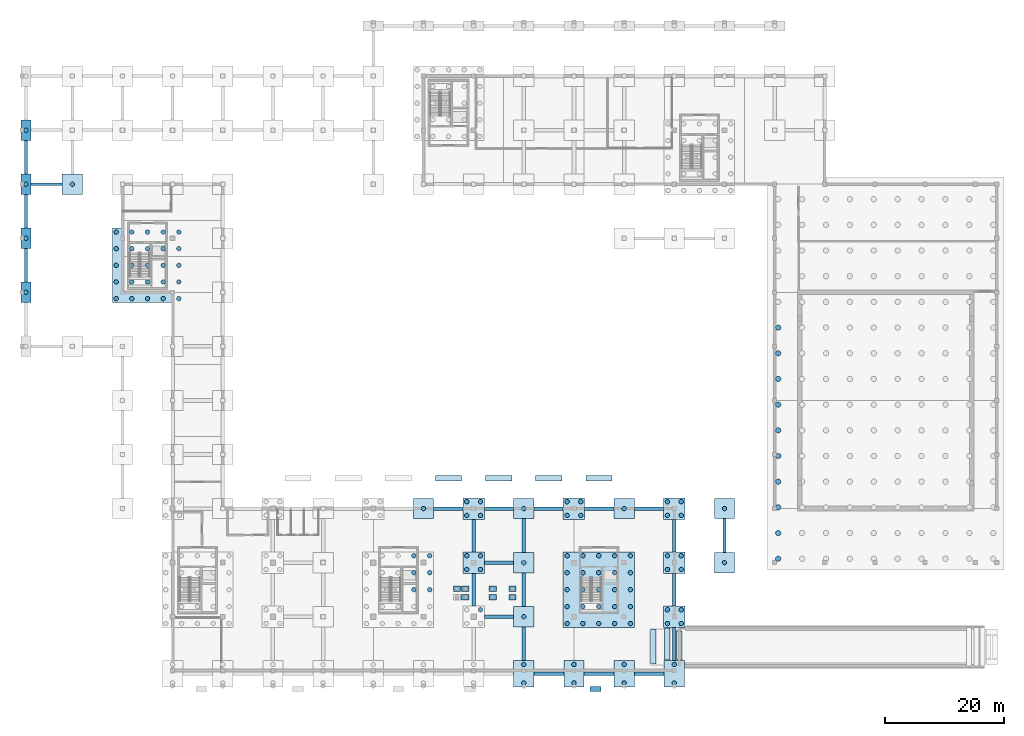
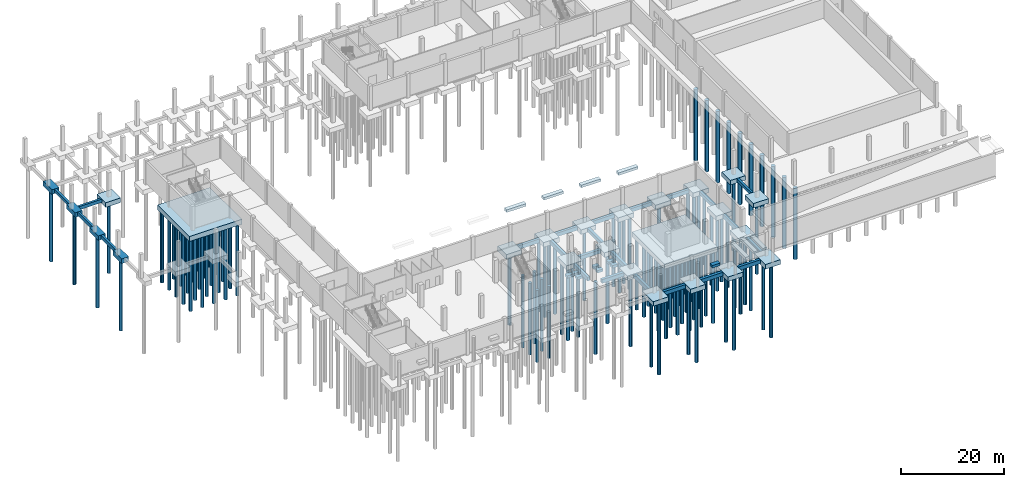
# One storey, part 2 of 18: 111 piles, 62 footings.
"""IFC4 building model written with IfcOpenShell, lengths in metres."""

import ifcopenshell
import ifcopenshell.guid

model = None  # the IFC model being written
_history = None  # IfcOwnerHistory: only IFC2X3 demands one
_inside = {}  # id of a spatial element -> (the spatial element, [elements in it])
_under = {}  # id of a project, library or spatial element -> (it, [spatial elements below it])
_declared = {}  # id of a project -> (the project, [libraries it declares])
_typed = {}  # id of a type object -> (the type object, [elements of that type])
_made_of = {}  # id of a material, layer set ... -> (it, [elements and type objects made of it])


def new_model(schema):
    """Start an empty IFC model of exactly this schema.

    Asked for "IFC4X3", IfcOpenShell would pick the latest addendum, in which some entities
    have other attributes; the version numbers below select the first issue.
    IFC2X3 requires an IfcOwnerHistory on every rooted entity: one is made here for all.
    """
    global model, _history
    if schema == "IFC4X3":
        model = ifcopenshell.file(schema_version=(4, 3, 0, 0))
    else:
        model = ifcopenshell.file(schema=schema)
    _inside.clear()
    _under.clear()
    _declared.clear()
    _typed.clear()
    _made_of.clear()
    _history = None
    if model.schema == "IFC2X3":
        org = make("IfcOrganization", Name="unknown")
        user = make(
            "IfcPersonAndOrganization",
            ThePerson=make("IfcPerson", FamilyName="unknown"),
            TheOrganization=org,
        )
        app = make(
            "IfcApplication",
            ApplicationDeveloper=org,
            Version="unknown",
            ApplicationFullName="unknown",
            ApplicationIdentifier="unknown",
        )
        _history = make(
            "IfcOwnerHistory",
            OwningUser=user,
            OwningApplication=app,
            ChangeAction="ADDED",
            CreationDate=0,
        )
    return model


def make(cls, **values):
    """One entity of the class cls with the attributes given. An attribute that is None is left unset."""
    return model.create_entity(
        cls, **{name: value for name, value in values.items() if value is not None}
    )


def rooted(cls, **values):
    """An entity with a GlobalId (a new one), such as an element, a storey or a relation."""
    return make(cls, GlobalId=ifcopenshell.guid.new(), OwnerHistory=_history, **values)


def si_unit(unit_type, name, prefix=None):
    """IfcSIUnit, for example si_unit("LENGTHUNIT", "METRE", prefix="MILLI")."""
    return make("IfcSIUnit", UnitType=unit_type, Prefix=prefix, Name=name)


def assignment(units):
    """IfcUnitAssignment: the units of a project."""
    return None if units is None else make("IfcUnitAssignment", Units=units)


def point(xyz):
    """IfcCartesianPoint."""
    return None if xyz is None else make("IfcCartesianPoint", Coordinates=xyz)


def direction(xyz):
    """IfcDirection."""
    return None if xyz is None else make("IfcDirection", DirectionRatios=xyz)


def frame(location, z_axis=None, x_axis=None):
    """IfcAxis2Placement3D, a coordinate frame: its origin and axes. An axis left out is left unset."""
    return make(
        "IfcAxis2Placement3D",
        Location=point(location),
        Axis=direction(z_axis),
        RefDirection=direction(x_axis),
    )


def frame_2d(location, x_axis=None):
    """IfcAxis2Placement2D, a coordinate frame in the plane: its origin and x axis."""
    return make(
        "IfcAxis2Placement2D", Location=point(location), RefDirection=direction(x_axis)
    )


def origin():
    """The frame at (0, 0, 0) with its axes left unset."""
    return frame((0.0, 0.0, 0.0))


def origin_2d():
    """The frame at (0, 0) in the plane with its x axis left unset."""
    return frame_2d((0.0, 0.0))


def place(relative_to, where):
    """IfcLocalPlacement: puts the frame where relative to a parent placement (None: the world)."""
    return make(
        "IfcLocalPlacement", PlacementRelTo=relative_to, RelativePlacement=where
    )


def context(
    kind, dimensions, precision=None, world=None, true_north=None, identifier=None
):
    """IfcGeometricRepresentationContext, for example the 3D "Model" context."""
    return make(
        "IfcGeometricRepresentationContext",
        ContextIdentifier=identifier,
        ContextType=kind,
        CoordinateSpaceDimension=dimensions,
        Precision=precision,
        WorldCoordinateSystem=world,
        TrueNorth=true_north,
    )


def subcontext(parent, identifier, kind, view, scale=None):
    """IfcGeometricRepresentationSubContext, for example "Body" below "Model"."""
    return make(
        "IfcGeometricRepresentationSubContext",
        ContextIdentifier=identifier,
        ContextType=kind,
        ParentContext=parent,
        TargetScale=scale,
        TargetView=view,
    )


def project(units=None, contexts=None):
    """IfcProject with its units and contexts."""
    return rooted(
        "IfcProject",
        Name="project",
        RepresentationContexts=contexts,
        UnitsInContext=assignment(units),
    )


def spatial(cls, under=None, at=None, **own):
    """A site, building, storey or space (cls), placed at a placement, below another one or the project."""
    s = rooted(cls, ObjectPlacement=at, **own)
    if under is not None:
        _under.setdefault(under.id(), (under, []))[1].append(s)
    return s


def profile(cls, at=None, kind="AREA", **sizes):
    """A parametric profile (cls). Its sizes go by their IFC names, for example OverallWidth=200.0."""
    return make(cls, ProfileType=kind, Position=at, **sizes)


def rectangle(**sizes):
    """IfcRectangleProfileDef."""
    return profile("IfcRectangleProfileDef", **sizes)


def circle(**sizes):
    """IfcCircleProfileDef."""
    return profile("IfcCircleProfileDef", **sizes)


def extrude(swept, where, along, depth):
    """IfcExtrudedAreaSolid: the profile swept, set in the frame where, extruded along a direction by depth."""
    return make(
        "IfcExtrudedAreaSolid",
        SweptArea=swept,
        Position=where,
        ExtrudedDirection=direction(along),
        Depth=depth,
    )


def shape(context_of_items, identifier, shape_type, items):
    """IfcShapeRepresentation: the items that make up one representation, for example the "Body"."""
    return make(
        "IfcShapeRepresentation",
        ContextOfItems=context_of_items,
        RepresentationIdentifier=identifier,
        RepresentationType=shape_type,
        Items=items,
    )


def material(Name=None, Category=None):
    """IfcMaterial."""
    return make("IfcMaterial", Name=Name, Category=Category)


def layer(
    of_material, thickness, ventilated=None, Name=None, Category=None, Priority=None
):
    """IfcMaterialLayer: one layer of a wall or slab, of a material (None: an air gap)."""
    return make(
        "IfcMaterialLayer",
        Material=of_material,
        LayerThickness=thickness,
        IsVentilated=ventilated,
        Name=Name,
        Category=Category,
        Priority=Priority,
    )


def layer_set(layers, Name=None):
    """IfcMaterialLayerSet."""
    return make("IfcMaterialLayerSet", MaterialLayers=layers, LayerSetName=Name)


def material_profile(
    of_material, cross_section, Name=None, Category=None, Priority=None
):
    """IfcMaterialProfile: a cross section and its material."""
    return make(
        "IfcMaterialProfile",
        Name=Name,
        Material=of_material,
        Profile=cross_section,
        Priority=Priority,
        Category=Category,
    )


def profile_set(profiles, Name=None, composite=None):
    """IfcMaterialProfileSet."""
    return make(
        "IfcMaterialProfileSet",
        Name=Name,
        MaterialProfiles=profiles,
        CompositeProfile=composite,
    )


def made_of(thing, what):
    """Note that an element or type object is made of a material, layer set ...; save() writes the relation."""
    if what is not None:
        _made_of.setdefault(what.id(), (what, []))[1].append(thing)
    return thing


def type_object(cls, material=None, **own):
    """A type object (cls), such as IfcWallType, which elements share."""
    return made_of(rooted(cls, **own), material)


def element(
    cls,
    number,
    at=None,
    inside=None,
    cuts=None,
    type_object=None,
    material=None,
    context=None,
    identifier="Body",
    shape_type=None,
    held_by="IfcProductDefinitionShape",
    body=None,
    shapes=None,
    **own,
):
    """One element of the class cls, such as IfcWall. Its Tag is "e" and its number.

    at: its placement. inside: the storey or other place that contains it. cuts: it is an
    opening in that element (IfcRelVoidsElement). A single representation is given by context,
    identifier, shape_type and body (its items); several are given by shapes. held_by: the class
    of the entity that holds the representations. save() writes the other relations.
    """
    e = rooted(cls, Tag="e%d" % number, ObjectPlacement=at, **own)
    if body is not None:
        shapes = [shape(context, identifier, shape_type, body)]
    if shapes is not None:
        e.Representation = make(held_by, Representations=shapes)
    if inside is not None:
        _inside.setdefault(inside.id(), (inside, []))[1].append(e)
    if cuts is not None:
        rooted(
            "IfcRelVoidsElement", RelatingBuildingElement=cuts, RelatedOpeningElement=e
        )
    if type_object is not None:
        _typed.setdefault(type_object.id(), (type_object, []))[1].append(e)
    return made_of(e, material)


def aggregate(whole, parts):
    """IfcRelAggregates: a whole, such as a stair, and the parts it consists of."""
    return rooted("IfcRelAggregates", RelatingObject=whole, RelatedObjects=parts)


def save(model, path):
    """Write the relations noted so far, then the file.

    IfcRelAggregates (storeys below a building ...), IfcRelContainedInSpatialStructure (elements
    in a storey), IfcRelDefinesByType, IfcRelAssociatesMaterial and IfcRelDeclares: one each for
    every whole, place, type object, material and project.
    """
    for whole, parts in _under.values():
        aggregate(whole, parts)
    for where, things in _inside.values():
        rooted(
            "IfcRelContainedInSpatialStructure",
            RelatedElements=things,
            RelatingStructure=where,
        )
    for kind, things in _typed.values():
        rooted("IfcRelDefinesByType", RelatedObjects=things, RelatingType=kind)
    for what, things in _made_of.values():
        rooted("IfcRelAssociatesMaterial", RelatedObjects=things, RelatingMaterial=what)
    for by, libraries in _declared.values():
        rooted("IfcRelDeclares", RelatingContext=by, RelatedDefinitions=libraries)
    model.write(path)


model = new_model("IFC4")

# Units and contexts
model_context = context("Model", 3, precision=1e-05, world=origin(), true_north=direction((0.0, 1.0)))
body_context = subcontext(model_context, "Body", "Model", "MODEL_VIEW")
ifc_project = project(units=[si_unit("LENGTHUNIT", "METRE"), si_unit("AREAUNIT", "SQUARE_METRE"), si_unit("VOLUMEUNIT", "CUBIC_METRE"), si_unit("PLANEANGLEUNIT", "RADIAN"), si_unit("MASSUNIT", "GRAM", prefix="KILO")], contexts=[model_context])

# Site, building, storey
site_placement = place(None, origin())
site = spatial("IfcSite", under=ifc_project, at=site_placement, CompositionType="ELEMENT")
building_placement = place(site_placement, origin())
building = spatial("IfcBuilding", under=site, at=building_placement, Name="Khurvash Pelagic Aquarium", CompositionType="ELEMENT")
storey_placement = place(building_placement, frame((0.0, 0.0, -5.39990234375)))
storey = spatial("IfcBuildingStorey", under=building, at=storey_placement, Name="B1", CompositionType="ELEMENT", Elevation=-5.39990234375)

# Footings
ifc_material = material(Name="Concrete C35/45", Category="concrete")
ifc_layer_1 = layer(ifc_material, 0.800048828125)
ifc_layer_set_1 = layer_set([ifc_layer_1], Name="Concrete C35/45")
footing_type_1 = type_object("IfcFootingType", Name="GB-01", PredefinedType="FOOTING_BEAM", material=ifc_layer_set_1)
footing_1_placement = place(storey_placement, frame((4.074951171875, 84.050048828125, -1.2001953125), z_axis=(0.0, 0.0, 1.0), x_axis=(1.0, 0.0, 0.0)))
element("IfcFooting", 1, at=footing_1_placement, inside=storey, type_object=footing_type_1, Name="Reinforced Concrete Ground Tie Beam GB-01 079", PredefinedType="FOOTING_BEAM", context=body_context, shape_type="SweptSolid", body=[
    extrude(rectangle(XDim=5.24609375, YDim=0.5, at=origin_2d()), origin(), (0.0, 0.0, 1.0), 0.800048828125),
])
for number, where, z_axis, x_axis, name in (
    (2, (0.64990234375, 70.47509765625, -1.2001953125), (0.0, 0.0, 1.0), (0.0, 1.0, 0.0), "Reinforced Concrete Ground Tie Beam GB-01 103"),
    (3, (0.64990234375, 79.52490234375, -1.2001953125), (0.0, 0.0, 1.0), (0.0, 1.0, 0.0), "Reinforced Concrete Ground Tie Beam GB-01 104"),
    (4, (0.64990234375, 88.574951171875, -1.2001953125), (0.0, 0.0, 1.0), (0.0, 1.0, 0.0), "Reinforced Concrete Ground Tie Beam GB-01 105"),
    (5, (117.60009765625, 25.22509765625, -1.2001953125), (0.0, 0.0, 1.0), (0.0, 1.0, 0.0), "Reinforced Concrete Ground Tie Beam GB-01 120"),
):
    element("IfcFooting", number, at=place(storey_placement, frame(where, z_axis=z_axis, x_axis=x_axis)), inside=storey, type_object=footing_type_1, Name=name, PredefinedType="FOOTING_BEAM", context=body_context, shape_type="SweptSolid", body=[
        extrude(rectangle(XDim=5.64599609375, YDim=0.5, at=origin_2d()), origin(), (0.0, 0.0, 1.0), 0.800048828125),
    ])
ifc_layer_2 = layer(ifc_material, 0.89990234375)
ifc_layer_set_2 = layer_set([ifc_layer_2], Name="Concrete C35/45")
footing_type_2 = type_object("IfcFootingType", Name="GB-02", PredefinedType="FOOTING_BEAM", material=ifc_layer_set_2)
for number, where, z_axis, x_axis, name in (
    (6, (88.199951171875, 2.10009765625, -1.300048828125), (0.0, 0.0, 1.0), (1.0, 0.0, 0.0), "Reinforced Concrete Ground Tie Beam GB-02 008"),
    (7, (96.60009765625, 2.10009765625, -1.300048828125), (0.0, 0.0, 1.0), (1.0, 0.0, 0.0), "Reinforced Concrete Ground Tie Beam GB-02 009"),
    (8, (105.0, 2.10009765625, -1.300048828125), (0.0, 0.0, 1.0), (1.0, 0.0, 0.0), "Reinforced Concrete Ground Tie Beam GB-02 010"),
):
    element("IfcFooting", number, at=place(storey_placement, frame(where, z_axis=z_axis, x_axis=x_axis)), inside=storey, type_object=footing_type_2, Name=name, PredefinedType="FOOTING_BEAM", context=body_context, shape_type="SweptSolid", body=[
        extrude(rectangle(XDim=4.99609375, YDim=0.60009765625, at=origin_2d()), origin(), (0.0, 0.0, 1.0), 0.89990234375),
    ])
for number, where, z_axis, x_axis, name in (
    (9, (79.85009765625, 11.64990234375, -1.300048828125), (0.0, 0.0, 1.0), (1.0, 0.0, 0.0), "Reinforced Concrete Ground Tie Beam GB-02 012"),
    (10, (79.85009765625, 20.699951171875, -1.300048828125), (0.0, 0.0, 1.0), (1.0, 0.0, 0.0), "Reinforced Concrete Ground Tie Beam GB-02 014"),
    (11, (71.35009765625, 29.75, -1.300048828125), (0.0, 0.0, 1.0), (1.0, 0.0, 0.0), "Reinforced Concrete Ground Tie Beam GB-02 020"),
    (12, (79.85009765625, 29.75, -1.300048828125), (0.0, 0.0, 1.0), (1.0, 0.0, 0.0), "Reinforced Concrete Ground Tie Beam GB-02 021"),
    (13, (88.14990234375, 29.75, -1.300048828125), (0.0, 0.0, 1.0), (1.0, 0.0, 0.0), "Reinforced Concrete Ground Tie Beam GB-02 022"),
    (14, (96.64990234375, 29.75, -1.300048828125), (0.0, 0.0, 1.0), (1.0, 0.0, 0.0), "Reinforced Concrete Ground Tie Beam GB-02 023"),
    (15, (104.949951171875, 29.75, -1.300048828125), (0.0, 0.0, 1.0), (1.0, 0.0, 0.0), "Reinforced Concrete Ground Tie Beam GB-02 024"),
):
    element("IfcFooting", number, at=place(storey_placement, frame(where, z_axis=z_axis, x_axis=x_axis)), inside=storey, type_object=footing_type_2, Name=name, PredefinedType="FOOTING_BEAM", context=body_context, shape_type="SweptSolid", body=[
        extrude(rectangle(XDim=4.89599609375, YDim=0.60009765625, at=origin_2d()), origin(), (0.0, 0.0, 1.0), 0.89990234375),
    ])
for number, where, z_axis, x_axis, name in (
    (16, (75.60009765625, 16.175048828125, -1.300048828125), (0.0, 0.0, 1.0), (0.0, 1.0, 0.0), "Reinforced Concrete Ground Tie Beam GB-02 059"),
    (17, (75.60009765625, 25.22509765625, -1.300048828125), (0.0, 0.0, 1.0), (0.0, 1.0, 0.0), "Reinforced Concrete Ground Tie Beam GB-02 060"),
):
    element("IfcFooting", number, at=place(storey_placement, frame(where, z_axis=z_axis, x_axis=x_axis)), inside=storey, type_object=footing_type_2, Name=name, PredefinedType="FOOTING_BEAM", context=body_context, shape_type="SweptSolid", body=[
        extrude(rectangle(XDim=5.446044921875, YDim=0.60009765625, at=origin_2d()), origin(), (0.0, 0.0, 1.0), 0.89990234375),
    ])
for number, where, z_axis, x_axis, name in (
    (18, (84.0, 7.125, -1.300048828125), (0.0, 0.0, 1.0), (0.0, 1.0, 0.0), "Reinforced Concrete Ground Tie Beam GB-02 061"),
    (19, (84.0, 16.175048828125, -1.300048828125), (0.0, 0.0, 1.0), (0.0, 1.0, 0.0), "Reinforced Concrete Ground Tie Beam GB-02 062"),
    (20, (84.0, 25.22509765625, -1.300048828125), (0.0, 0.0, 1.0), (0.0, 1.0, 0.0), "Reinforced Concrete Ground Tie Beam GB-02 063"),
):
    element("IfcFooting", number, at=place(storey_placement, frame(where, z_axis=z_axis, x_axis=x_axis)), inside=storey, type_object=footing_type_2, Name=name, PredefinedType="FOOTING_BEAM", context=body_context, shape_type="SweptSolid", body=[
        extrude(rectangle(XDim=5.64599609375, YDim=0.60009765625, at=origin_2d()), origin(), (0.0, 0.0, 1.0), 0.89990234375),
    ])
footing_2_placement = place(storey_placement, frame((109.199951171875, 7.074951171875, -1.300048828125), z_axis=(0.0, 0.0, 1.0), x_axis=(0.0, 1.0, 0.0)))
element("IfcFooting", 21, at=footing_2_placement, inside=storey, type_object=footing_type_2, Name="Reinforced Concrete Ground Tie Beam GB-02 070", PredefinedType="FOOTING_BEAM", context=body_context, shape_type="SweptSolid", body=[
    extrude(rectangle(XDim=5.5458984375, YDim=0.60009765625, at=origin_2d()), origin(), (0.0, 0.0, 1.0), 0.89990234375),
])
for number, where, z_axis, x_axis, name in (
    (22, (109.199951171875, 16.175048828125, -1.300048828125), (0.0, 0.0, 1.0), (0.0, 1.0, 0.0), "Reinforced Concrete Ground Tie Beam GB-02 071"),
    (23, (109.199951171875, 25.22509765625, -1.300048828125), (0.0, 0.0, 1.0), (0.0, 1.0, 0.0), "Reinforced Concrete Ground Tie Beam GB-02 072"),
):
    element("IfcFooting", number, at=place(storey_placement, frame(where, z_axis=z_axis, x_axis=x_axis)), inside=storey, type_object=footing_type_2, Name=name, PredefinedType="FOOTING_BEAM", context=body_context, shape_type="SweptSolid", body=[
        extrude(rectangle(XDim=5.446044921875, YDim=0.60009765625, at=origin_2d()), origin(), (0.0, 0.0, 1.0), 0.89990234375),
    ])

# Piles
ifc_material_profile_1 = material_profile(ifc_material, circle(Radius=0.375, at=origin_2d()), Name="PILE750")
ifc_profile_set_1 = profile_set([ifc_material_profile_1], Name="Concrete C35/45")
pile_type_1 = type_object("IfcPileType", Name="P-750", PredefinedType="BORED", material=ifc_profile_set_1)
for number, where, z_axis, x_axis, name in (
    (24, (65.60009765625, 16.175048828125, -1.5), (0.0, 0.0, -1.0), (1.0, 0.0, 0.0), "Bored Pile P-750 0193"),
    (25, (65.60009765625, 19.011962890625, -1.5), (0.0, 0.0, -1.0), (1.0, 0.0, 0.0), "Bored Pile P-750 0194"),
    (26, (65.60009765625, 21.85009765625, -1.5), (0.0, 0.0, -1.0), (1.0, 0.0, 0.0), "Bored Pile P-750 0195"),
    (27, (68.25, 16.175048828125, -1.5), (0.0, 0.0, -1.0), (1.0, 0.0, 0.0), "Bored Pile P-750 0198"),
    (28, (68.25, 19.011962890625, -1.5), (0.0, 0.0, -1.0), (1.0, 0.0, 0.0), "Bored Pile P-750 0199"),
    (29, (68.25, 21.85009765625, -1.5), (0.0, 0.0, -1.0), (1.0, 0.0, 0.0), "Bored Pile P-750 0200"),
    (30, (91.25, 10.5, -1.5), (0.0, 0.0, -1.0), (1.0, 0.0, 0.0), "Bored Pile P-750 0201"),
    (31, (91.25, 13.337890625, -1.5), (0.0, 0.0, -1.0), (1.0, 0.0, 0.0), "Bored Pile P-750 0202"),
    (32, (91.25, 16.175048828125, -1.5), (0.0, 0.0, -1.0), (1.0, 0.0, 0.0), "Bored Pile P-750 0203"),
    (33, (91.25, 19.011962890625, -1.5), (0.0, 0.0, -1.0), (1.0, 0.0, 0.0), "Bored Pile P-750 0204"),
    (34, (91.25, 21.85009765625, -1.5), (0.0, 0.0, -1.0), (1.0, 0.0, 0.0), "Bored Pile P-750 0205"),
    (35, (93.89990234375, 10.5, -1.5), (0.0, 0.0, -1.0), (1.0, 0.0, 0.0), "Bored Pile P-750 0206"),
    (36, (93.89990234375, 13.337890625, -1.5), (0.0, 0.0, -1.0), (1.0, 0.0, 0.0), "Bored Pile P-750 0207"),
    (37, (93.89990234375, 16.175048828125, -1.5), (0.0, 0.0, -1.0), (1.0, 0.0, 0.0), "Bored Pile P-750 0208"),
    (38, (93.89990234375, 19.011962890625, -1.5), (0.0, 0.0, -1.0), (1.0, 0.0, 0.0), "Bored Pile P-750 0209"),
    (39, (93.89990234375, 21.85009765625, -1.5), (0.0, 0.0, -1.0), (1.0, 0.0, 0.0), "Bored Pile P-750 0210"),
    (40, (96.550048828125, 10.5, -1.5), (0.0, 0.0, -1.0), (1.0, 0.0, 0.0), "Bored Pile P-750 0211"),
    (41, (96.550048828125, 13.337890625, -1.5), (0.0, 0.0, -1.0), (1.0, 0.0, 0.0), "Bored Pile P-750 0212"),
    (42, (96.550048828125, 16.175048828125, -1.5), (0.0, 0.0, -1.0), (1.0, 0.0, 0.0), "Bored Pile P-750 0213"),
    (43, (96.550048828125, 19.011962890625, -1.5), (0.0, 0.0, -1.0), (1.0, 0.0, 0.0), "Bored Pile P-750 0214"),
    (44, (96.550048828125, 21.85009765625, -1.5), (0.0, 0.0, -1.0), (1.0, 0.0, 0.0), "Bored Pile P-750 0215"),
    (45, (99.199951171875, 10.5, -1.5), (0.0, 0.0, -1.0), (1.0, 0.0, 0.0), "Bored Pile P-750 0216"),
    (46, (99.199951171875, 13.337890625, -1.5), (0.0, 0.0, -1.0), (1.0, 0.0, 0.0), "Bored Pile P-750 0217"),
    (47, (99.199951171875, 16.175048828125, -1.5), (0.0, 0.0, -1.0), (1.0, 0.0, 0.0), "Bored Pile P-750 0218"),
    (48, (99.199951171875, 19.011962890625, -1.5), (0.0, 0.0, -1.0), (1.0, 0.0, 0.0), "Bored Pile P-750 0219"),
    (49, (99.199951171875, 21.85009765625, -1.5), (0.0, 0.0, -1.0), (1.0, 0.0, 0.0), "Bored Pile P-750 0220"),
    (50, (101.85009765625, 10.5, -1.5), (0.0, 0.0, -1.0), (1.0, 0.0, 0.0), "Bored Pile P-750 0221"),
    (51, (101.85009765625, 13.337890625, -1.5), (0.0, 0.0, -1.0), (1.0, 0.0, 0.0), "Bored Pile P-750 0222"),
    (52, (101.85009765625, 16.175048828125, -1.5), (0.0, 0.0, -1.0), (1.0, 0.0, 0.0), "Bored Pile P-750 0223"),
    (53, (101.85009765625, 19.011962890625, -1.5), (0.0, 0.0, -1.0), (1.0, 0.0, 0.0), "Bored Pile P-750 0224"),
    (54, (101.85009765625, 21.85009765625, -1.5), (0.0, 0.0, -1.0), (1.0, 0.0, 0.0), "Bored Pile P-750 0225"),
    (55, (15.75, 64.89990234375, -1.5), (0.0, 0.0, -1.0), (1.0, 0.0, 0.0), "Bored Pile P-750 0251"),
    (56, (15.75, 67.68701171875, -1.5), (0.0, 0.0, -1.0), (1.0, 0.0, 0.0), "Bored Pile P-750 0252"),
    (57, (15.75, 70.47509765625, -1.5), (0.0, 0.0, -1.0), (1.0, 0.0, 0.0), "Bored Pile P-750 0253"),
    (58, (15.75, 73.261962890625, -1.5), (0.0, 0.0, -1.0), (1.0, 0.0, 0.0), "Bored Pile P-750 0254"),
    (59, (15.75, 76.050048828125, -1.5), (0.0, 0.0, -1.0), (1.0, 0.0, 0.0), "Bored Pile P-750 0255"),
    (60, (18.375, 64.89990234375, -1.5), (0.0, 0.0, -1.0), (1.0, 0.0, 0.0), "Bored Pile P-750 0256"),
    (61, (18.375, 67.68701171875, -1.5), (0.0, 0.0, -1.0), (1.0, 0.0, 0.0), "Bored Pile P-750 0257"),
    (62, (18.375, 70.47509765625, -1.5), (0.0, 0.0, -1.0), (1.0, 0.0, 0.0), "Bored Pile P-750 0258"),
    (63, (18.375, 73.261962890625, -1.5), (0.0, 0.0, -1.0), (1.0, 0.0, 0.0), "Bored Pile P-750 0259"),
    (64, (18.375, 76.050048828125, -1.5), (0.0, 0.0, -1.0), (1.0, 0.0, 0.0), "Bored Pile P-750 0260"),
    (65, (21.0, 64.89990234375, -1.5), (0.0, 0.0, -1.0), (1.0, 0.0, 0.0), "Bored Pile P-750 0261"),
    (66, (21.0, 67.68701171875, -1.5), (0.0, 0.0, -1.0), (1.0, 0.0, 0.0), "Bored Pile P-750 0262"),
    (67, (21.0, 70.47509765625, -1.5), (0.0, 0.0, -1.0), (1.0, 0.0, 0.0), "Bored Pile P-750 0263"),
    (68, (21.0, 73.261962890625, -1.5), (0.0, 0.0, -1.0), (1.0, 0.0, 0.0), "Bored Pile P-750 0264"),
    (69, (21.0, 76.050048828125, -1.5), (0.0, 0.0, -1.0), (1.0, 0.0, 0.0), "Bored Pile P-750 0265"),
    (70, (23.625, 64.89990234375, -1.5), (0.0, 0.0, -1.0), (1.0, 0.0, 0.0), "Bored Pile P-750 0266"),
    (71, (23.625, 67.68701171875, -1.5), (0.0, 0.0, -1.0), (1.0, 0.0, 0.0), "Bored Pile P-750 0267"),
    (72, (23.625, 70.47509765625, -1.5), (0.0, 0.0, -1.0), (1.0, 0.0, 0.0), "Bored Pile P-750 0268"),
    (73, (23.625, 73.261962890625, -1.5), (0.0, 0.0, -1.0), (1.0, 0.0, 0.0), "Bored Pile P-750 0269"),
    (74, (23.625, 76.050048828125, -1.5), (0.0, 0.0, -1.0), (1.0, 0.0, 0.0), "Bored Pile P-750 0270"),
    (75, (26.25, 64.89990234375, -1.5), (0.0, 0.0, -1.0), (1.0, 0.0, 0.0), "Bored Pile P-750 0271"),
    (76, (26.25, 67.68701171875, -1.5), (0.0, 0.0, -1.0), (1.0, 0.0, 0.0), "Bored Pile P-750 0272"),
    (77, (26.25, 70.47509765625, -1.5), (0.0, 0.0, -1.0), (1.0, 0.0, 0.0), "Bored Pile P-750 0273"),
    (78, (26.25, 73.261962890625, -1.5), (0.0, 0.0, -1.0), (1.0, 0.0, 0.0), "Bored Pile P-750 0274"),
    (79, (26.25, 76.050048828125, -1.5), (0.0, 0.0, -1.0), (1.0, 0.0, 0.0), "Bored Pile P-750 0275"),
):
    element("IfcPile", number, at=place(storey_placement, frame(where, z_axis=z_axis, x_axis=x_axis)), inside=storey, type_object=pile_type_1, Name=name, PredefinedType="BORED", context=body_context, shape_type="SweptSolid", body=[
        extrude(circle(Radius=0.375, at=origin_2d()), origin(), (0.0, 0.0, 1.0), 17.10009765625),
    ])
for number, where, z_axis, x_axis, name in (
    (80, (67.199951171875, 29.75, -1.400146484375), (0.0, 0.0, -1.0), (1.0, 0.0, 0.0), "Bored Pile P-750 0348"),
    (81, (76.75, 12.800048828125, -1.400146484375), (0.0, 0.0, -1.0), (1.0, 0.0, 0.0), "Bored Pile P-750 0355"),
    (82, (74.449951171875, 19.550048828125, -1.400146484375), (0.0, 0.0, -1.0), (1.0, 0.0, 0.0), "Bored Pile P-750 0356"),
    (83, (74.449951171875, 21.85009765625, -1.400146484375), (0.0, 0.0, -1.0), (1.0, 0.0, 0.0), "Bored Pile P-750 0357"),
    (84, (76.75, 19.550048828125, -1.400146484375), (0.0, 0.0, -1.0), (1.0, 0.0, 0.0), "Bored Pile P-750 0358"),
    (85, (76.75, 21.85009765625, -1.400146484375), (0.0, 0.0, -1.0), (1.0, 0.0, 0.0), "Bored Pile P-750 0359"),
    (86, (74.449951171875, 28.60009765625, -1.400146484375), (0.0, 0.0, -1.0), (1.0, 0.0, 0.0), "Bored Pile P-750 0360"),
    (87, (74.449951171875, 30.89990234375, -1.400146484375), (0.0, 0.0, -1.0), (1.0, 0.0, 0.0), "Bored Pile P-750 0361"),
    (88, (76.75, 28.60009765625, -1.400146484375), (0.0, 0.0, -1.0), (1.0, 0.0, 0.0), "Bored Pile P-750 0362"),
    (89, (76.75, 30.89990234375, -1.400146484375), (0.0, 0.0, -1.0), (1.0, 0.0, 0.0), "Bored Pile P-750 0363"),
    (90, (84.0, 0.550048828125, -1.400146484375), (0.0, 0.0, -1.0), (1.0, 0.0, 0.0), "Bored Pile P-750 0365"),
    (91, (84.0, 3.64990234375, -1.400146484375), (0.0, 0.0, -1.0), (1.0, 0.0, 0.0), "Bored Pile P-750 0366"),
    (92, (84.0, 11.64990234375, -1.400146484375), (0.0, 0.0, -1.0), (1.0, 0.0, 0.0), "Bored Pile P-750 0367"),
    (93, (84.0, 20.699951171875, -1.400146484375), (0.0, 0.0, -1.0), (1.0, 0.0, 0.0), "Bored Pile P-750 0368"),
    (94, (84.0, 29.75, -1.400146484375), (0.0, 0.0, -1.0), (1.0, 0.0, 0.0), "Bored Pile P-750 0369"),
    (95, (92.39990234375, 0.550048828125, -1.400146484375), (0.0, 0.0, -1.0), (1.0, 0.0, 0.0), "Bored Pile P-750 0373"),
    (96, (92.39990234375, 3.64990234375, -1.400146484375), (0.0, 0.0, -1.0), (1.0, 0.0, 0.0), "Bored Pile P-750 0374"),
    (97, (91.25, 28.60009765625, -1.400146484375), (0.0, 0.0, -1.0), (1.0, 0.0, 0.0), "Bored Pile P-750 0375"),
    (98, (91.25, 30.89990234375, -1.400146484375), (0.0, 0.0, -1.0), (1.0, 0.0, 0.0), "Bored Pile P-750 0376"),
    (99, (93.550048828125, 28.60009765625, -1.400146484375), (0.0, 0.0, -1.0), (1.0, 0.0, 0.0), "Bored Pile P-750 0377"),
    (100, (93.550048828125, 30.89990234375, -1.400146484375), (0.0, 0.0, -1.0), (1.0, 0.0, 0.0), "Bored Pile P-750 0378"),
    (101, (100.800048828125, 0.550048828125, -1.400146484375), (0.0, 0.0, -1.0), (1.0, 0.0, 0.0), "Bored Pile P-750 0382"),
    (102, (100.800048828125, 3.64990234375, -1.400146484375), (0.0, 0.0, -1.0), (1.0, 0.0, 0.0), "Bored Pile P-750 0383"),
    (103, (100.800048828125, 29.75, -1.400146484375), (0.0, 0.0, -1.0), (1.0, 0.0, 0.0), "Bored Pile P-750 0384"),
    (104, (109.199951171875, 0.550048828125, -1.400146484375), (0.0, 0.0, -1.0), (1.0, 0.0, 0.0), "Bored Pile P-750 0388"),
    (105, (109.199951171875, 3.64990234375, -1.400146484375), (0.0, 0.0, -1.0), (1.0, 0.0, 0.0), "Bored Pile P-750 0389"),
    (106, (108.050048828125, 10.5, -1.400146484375), (0.0, 0.0, -1.0), (1.0, 0.0, 0.0), "Bored Pile P-750 0390"),
    (107, (108.050048828125, 12.800048828125, -1.400146484375), (0.0, 0.0, -1.0), (1.0, 0.0, 0.0), "Bored Pile P-750 0391"),
    (108, (110.35009765625, 10.5, -1.400146484375), (0.0, 0.0, -1.0), (1.0, 0.0, 0.0), "Bored Pile P-750 0392"),
    (109, (110.35009765625, 12.800048828125, -1.400146484375), (0.0, 0.0, -1.0), (1.0, 0.0, 0.0), "Bored Pile P-750 0393"),
    (110, (108.050048828125, 19.550048828125, -1.400146484375), (0.0, 0.0, -1.0), (1.0, 0.0, 0.0), "Bored Pile P-750 0394"),
    (111, (108.050048828125, 21.85009765625, -1.400146484375), (0.0, 0.0, -1.0), (1.0, 0.0, 0.0), "Bored Pile P-750 0395"),
    (112, (110.35009765625, 19.550048828125, -1.400146484375), (0.0, 0.0, -1.0), (1.0, 0.0, 0.0), "Bored Pile P-750 0396"),
    (113, (110.35009765625, 21.85009765625, -1.400146484375), (0.0, 0.0, -1.0), (1.0, 0.0, 0.0), "Bored Pile P-750 0397"),
    (114, (108.050048828125, 28.60009765625, -1.400146484375), (0.0, 0.0, -1.0), (1.0, 0.0, 0.0), "Bored Pile P-750 0398"),
    (115, (108.050048828125, 30.89990234375, -1.400146484375), (0.0, 0.0, -1.0), (1.0, 0.0, 0.0), "Bored Pile P-750 0399"),
    (116, (110.35009765625, 28.60009765625, -1.400146484375), (0.0, 0.0, -1.0), (1.0, 0.0, 0.0), "Bored Pile P-750 0400"),
    (117, (110.35009765625, 30.89990234375, -1.400146484375), (0.0, 0.0, -1.0), (1.0, 0.0, 0.0), "Bored Pile P-750 0401"),
    (118, (0.64990234375, 65.949951171875, -1.400146484375), (0.0, 0.0, -1.0), (1.0, 0.0, 0.0), "Bored Pile P-750 0409"),
    (119, (0.64990234375, 75.0, -1.400146484375), (0.0, 0.0, -1.0), (1.0, 0.0, 0.0), "Bored Pile P-750 0410"),
    (120, (0.64990234375, 84.050048828125, -1.400146484375), (0.0, 0.0, -1.0), (1.0, 0.0, 0.0), "Bored Pile P-750 0411"),
    (121, (0.64990234375, 93.10009765625, -1.400146484375), (0.0, 0.0, -1.0), (1.0, 0.0, 0.0), "Bored Pile P-750 0412"),
    (122, (8.39990234375, 84.050048828125, -1.400146484375), (0.0, 0.0, -1.0), (1.0, 0.0, 0.0), "Bored Pile P-750 0415"),
    (123, (117.60009765625, 20.699951171875, -1.400146484375), (0.0, 0.0, -1.0), (1.0, 0.0, 0.0), "Bored Pile P-750 0444"),
    (124, (117.60009765625, 29.75, -1.400146484375), (0.0, 0.0, -1.0), (1.0, 0.0, 0.0), "Bored Pile P-750 0445"),
):
    element("IfcPile", number, at=place(storey_placement, frame(where, z_axis=z_axis, x_axis=x_axis)), inside=storey, type_object=pile_type_1, Name=name, PredefinedType="BORED", context=body_context, shape_type="SweptSolid", body=[
        extrude(circle(Radius=0.375, at=origin_2d()), origin(), (0.0, 0.0, 1.0), 17.199951171875),
    ])
ifc_material_profile_2 = material_profile(ifc_material, circle(Radius=0.449951171875, at=origin_2d()), Name="PILE900")
ifc_profile_set_2 = profile_set([ifc_material_profile_2], Name="Concrete C35/45")
pile_type_2 = type_object("IfcPileType", Name="P-900", PredefinedType="BORED", material=ifc_profile_set_2)
for number, where, z_axis, x_axis, name in (
    (125, (126.60009765625, 21.35009765625, -1.650146484375), (0.0, 0.0, -1.0), (1.0, 0.0, 0.0), "Bored Pile P-900 0001"),
    (126, (126.60009765625, 25.64990234375, -1.650146484375), (0.0, 0.0, -1.0), (1.0, 0.0, 0.0), "Bored Pile P-900 0002"),
    (127, (126.60009765625, 29.949951171875, -1.650146484375), (0.0, 0.0, -1.0), (1.0, 0.0, 0.0), "Bored Pile P-900 0003"),
    (128, (126.60009765625, 34.25, -1.650146484375), (0.0, 0.0, -1.0), (1.0, 0.0, 0.0), "Bored Pile P-900 0004"),
    (129, (126.60009765625, 38.550048828125, -1.650146484375), (0.0, 0.0, -1.0), (1.0, 0.0, 0.0), "Bored Pile P-900 0005"),
    (130, (126.60009765625, 42.85009765625, -1.650146484375), (0.0, 0.0, -1.0), (1.0, 0.0, 0.0), "Bored Pile P-900 0006"),
    (131, (126.60009765625, 47.14990234375, -1.650146484375), (0.0, 0.0, -1.0), (1.0, 0.0, 0.0), "Bored Pile P-900 0007"),
    (132, (126.60009765625, 51.449951171875, -1.650146484375), (0.0, 0.0, -1.0), (1.0, 0.0, 0.0), "Bored Pile P-900 0008"),
    (133, (126.60009765625, 55.75, -1.650146484375), (0.0, 0.0, -1.0), (1.0, 0.0, 0.0), "Bored Pile P-900 0009"),
    (134, (126.60009765625, 60.050048828125, -1.650146484375), (0.0, 0.0, -1.0), (1.0, 0.0, 0.0), "Bored Pile P-900 0010"),
):
    element("IfcPile", number, at=place(storey_placement, frame(where, z_axis=z_axis, x_axis=x_axis)), inside=storey, type_object=pile_type_2, Name=name, PredefinedType="BORED", context=body_context, shape_type="SweptSolid", body=[
        extrude(circle(Radius=0.449951171875, at=origin_2d()), origin(), (0.0, 0.0, 1.0), 16.949951171875),
    ])

# Footings
ifc_layer_3 = layer(ifc_material, 1.199951171875)
ifc_layer_set_3 = layer_set([ifc_layer_3], Name="Concrete C35/45")
footing_type_3 = type_object("IfcFootingType", Name="PC-01", PredefinedType="PILE_CAP", material=ifc_layer_set_3)
footing_3_placement = place(storey_placement, frame((96.550048828125, 16.175048828125, -1.60009765625), z_axis=(0.0, 0.0, 1.0), x_axis=(1.0, 0.0, 0.0)))
element("IfcFooting", 135, at=footing_3_placement, inside=storey, type_object=footing_type_3, Name="Reinforced Concrete Pile Cap PC-01 003", PredefinedType="PILE_CAP", context=body_context, shape_type="SweptSolid", body=[
    extrude(rectangle(XDim=11.89990234375, YDim=12.64990234375, at=origin_2d()), origin(), (0.0, 0.0, 1.0), 1.199951171875),
])
ifc_layer_4 = layer(ifc_material, 1.199951171875)
ifc_layer_set_4 = layer_set([ifc_layer_4], Name="Concrete C35/45")
footing_type_4 = type_object("IfcFootingType", Name="PC-02", PredefinedType="PILE_CAP", material=ifc_layer_set_4)
footing_4_placement = place(storey_placement, frame((21.0, 70.47509765625, -1.60009765625), z_axis=(0.0, 0.0, 1.0), x_axis=(1.0, 0.0, 0.0)))
element("IfcFooting", 136, at=footing_4_placement, inside=storey, type_object=footing_type_4, Name="Reinforced Concrete Pile Cap PC-02 005", PredefinedType="PILE_CAP", context=body_context, shape_type="SweptSolid", body=[
    extrude(rectangle(XDim=11.800048828125, YDim=12.449951171875, at=origin_2d()), origin(), (0.0, 0.0, 1.0), 1.199951171875),
])
ifc_layer_5 = layer(ifc_material, 1.10009765625)
ifc_layer_set_5 = layer_set([ifc_layer_5], Name="Concrete C35/45")
footing_type_5 = type_object("IfcFootingType", Name="PC-03", PredefinedType="PILE_CAP", material=ifc_layer_set_5)
for number, where, z_axis, x_axis, name in (
    (137, (67.199951171875, 29.75, -1.500244140625), (0.0, 0.0, 1.0), (1.0, 0.0, 0.0), "Reinforced Concrete Pile Cap PC-03 033"),
    (138, (84.0, 11.64990234375, -1.500244140625), (0.0, 0.0, 1.0), (1.0, 0.0, 0.0), "Reinforced Concrete Pile Cap PC-03 041"),
    (139, (84.0, 20.699951171875, -1.500244140625), (0.0, 0.0, 1.0), (1.0, 0.0, 0.0), "Reinforced Concrete Pile Cap PC-03 042"),
    (140, (84.0, 29.75, -1.500244140625), (0.0, 0.0, 1.0), (1.0, 0.0, 0.0), "Reinforced Concrete Pile Cap PC-03 043"),
    (141, (100.800048828125, 29.75, -1.500244140625), (0.0, 0.0, 1.0), (1.0, 0.0, 0.0), "Reinforced Concrete Pile Cap PC-03 053"),
    (142, (8.39990234375, 84.050048828125, -1.500244140625), (0.0, 0.0, 1.0), (1.0, 0.0, 0.0), "Reinforced Concrete Pile Cap PC-03 074"),
    (143, (117.60009765625, 20.699951171875, -1.500244140625), (0.0, 0.0, 1.0), (1.0, 0.0, 0.0), "Reinforced Concrete Pile Cap PC-03 103"),
    (144, (117.60009765625, 29.75, -1.500244140625), (0.0, 0.0, 1.0), (1.0, 0.0, 0.0), "Reinforced Concrete Pile Cap PC-03 104"),
):
    element("IfcFooting", number, at=place(storey_placement, frame(where, z_axis=z_axis, x_axis=x_axis)), inside=storey, type_object=footing_type_5, Name=name, PredefinedType="PILE_CAP", context=body_context, shape_type="SweptSolid", body=[
        extrude(rectangle(XDim=3.39990234375, YDim=3.39990234375, at=origin_2d()), origin(), (0.0, 0.0, 1.0), 1.10009765625),
    ])
ifc_layer_6 = layer(ifc_material, 1.10009765625)
ifc_layer_set_6 = layer_set([ifc_layer_6], Name="Concrete C35/45")
footing_type_6 = type_object("IfcFootingType", Name="PC-04", PredefinedType="PILE_CAP", material=ifc_layer_set_6)
for number, where, z_axis, x_axis, name in (
    (145, (84.0, 2.10009765625, -1.500244140625), (0.0, 0.0, 1.0), (1.0, 0.0, 0.0), "Reinforced Concrete Pile Cap PC-04 040"),
    (146, (92.39990234375, 2.10009765625, -1.500244140625), (0.0, 0.0, 1.0), (1.0, 0.0, 0.0), "Reinforced Concrete Pile Cap PC-04 047"),
    (147, (100.800048828125, 2.10009765625, -1.500244140625), (0.0, 0.0, 1.0), (1.0, 0.0, 0.0), "Reinforced Concrete Pile Cap PC-04 052"),
    (148, (109.199951171875, 2.10009765625, -1.500244140625), (0.0, 0.0, 1.0), (1.0, 0.0, 0.0), "Reinforced Concrete Pile Cap PC-04 057"),
):
    element("IfcFooting", number, at=place(storey_placement, frame(where, z_axis=z_axis, x_axis=x_axis)), inside=storey, type_object=footing_type_6, Name=name, PredefinedType="PILE_CAP", context=body_context, shape_type="SweptSolid", body=[
        extrude(rectangle(XDim=3.39990234375, YDim=4.39990234375, at=origin_2d()), origin(), (0.0, 0.0, 1.0), 1.10009765625),
    ])
ifc_layer_7 = layer(ifc_material, 1.10009765625)
ifc_layer_set_7 = layer_set([ifc_layer_7], Name="Concrete C35/45")
footing_type_7 = type_object("IfcFootingType", Name="PC-05", PredefinedType="PILE_CAP", material=ifc_layer_set_7)
for number, where, z_axis, x_axis, name in (
    (149, (75.60009765625, 20.699951171875, -1.500244140625), (0.0, 0.0, 1.0), (1.0, 0.0, 0.0), "Reinforced Concrete Pile Cap PC-05 037"),
    (150, (75.60009765625, 29.75, -1.500244140625), (0.0, 0.0, 1.0), (1.0, 0.0, 0.0), "Reinforced Concrete Pile Cap PC-05 038"),
    (151, (92.39990234375, 29.75, -1.500244140625), (0.0, 0.0, 1.0), (1.0, 0.0, 0.0), "Reinforced Concrete Pile Cap PC-05 048"),
    (152, (109.199951171875, 11.64990234375, -1.500244140625), (0.0, 0.0, 1.0), (1.0, 0.0, 0.0), "Reinforced Concrete Pile Cap PC-05 058"),
    (153, (109.199951171875, 20.699951171875, -1.500244140625), (0.0, 0.0, 1.0), (1.0, 0.0, 0.0), "Reinforced Concrete Pile Cap PC-05 059"),
    (154, (109.199951171875, 29.75, -1.500244140625), (0.0, 0.0, 1.0), (1.0, 0.0, 0.0), "Reinforced Concrete Pile Cap PC-05 060"),
):
    element("IfcFooting", number, at=place(storey_placement, frame(where, z_axis=z_axis, x_axis=x_axis)), inside=storey, type_object=footing_type_7, Name=name, PredefinedType="PILE_CAP", context=body_context, shape_type="SweptSolid", body=[
        extrude(rectangle(XDim=3.60009765625, YDim=3.60009765625, at=origin_2d()), origin(), (0.0, 0.0, 1.0), 1.10009765625),
    ])
ifc_layer_8 = layer(ifc_material, 1.10009765625)
ifc_layer_set_8 = layer_set([ifc_layer_8], Name="Concrete C35/45")
footing_type_8 = type_object("IfcFootingType", Name="PC-06", PredefinedType="PILE_CAP", material=ifc_layer_set_8)
for number, where, z_axis, x_axis, name in (
    (155, (0.64990234375, 65.949951171875, -1.500244140625), (0.0, 0.0, 1.0), (1.0, 0.0, 0.0), "Reinforced Concrete Pile Cap PC-06 068"),
    (156, (0.64990234375, 75.0, -1.500244140625), (0.0, 0.0, 1.0), (1.0, 0.0, 0.0), "Reinforced Concrete Pile Cap PC-06 069"),
    (157, (0.64990234375, 84.050048828125, -1.500244140625), (0.0, 0.0, 1.0), (1.0, 0.0, 0.0), "Reinforced Concrete Pile Cap PC-06 070"),
    (158, (0.64990234375, 93.10009765625, -1.500244140625), (0.0, 0.0, 1.0), (1.0, 0.0, 0.0), "Reinforced Concrete Pile Cap PC-06 071"),
):
    element("IfcFooting", number, at=place(storey_placement, frame(where, z_axis=z_axis, x_axis=x_axis)), inside=storey, type_object=footing_type_8, Name=name, PredefinedType="PILE_CAP", context=body_context, shape_type="SweptSolid", body=[
        extrude(rectangle(XDim=1.60009765625, YDim=3.39990234375, at=origin_2d()), origin(), (0.0, 0.0, 1.0), 1.10009765625),
    ])
ifc_layer_9 = layer(ifc_material, 0.60009765625)
ifc_layer_set_9 = layer_set([ifc_layer_9], Name="Concrete C35/45")
footing_type_9 = type_object("IfcFootingType", Name="SF-01", PredefinedType="STRIP_FOOTING", material=ifc_layer_set_9)
for number, where, z_axis, x_axis, name in (
    (159, (71.39990234375, 34.800048828125, 4.499755859375), (0.0, 0.0, 1.0), (1.0, 0.0, 0.0), "Courtyard Strip Footing SF-01 04"),
    (160, (79.800048828125, 34.800048828125, 4.499755859375), (0.0, 0.0, 1.0), (1.0, 0.0, 0.0), "Courtyard Strip Footing SF-01 05"),
    (161, (88.199951171875, 34.800048828125, 4.499755859375), (0.0, 0.0, 1.0), (1.0, 0.0, 0.0), "Courtyard Strip Footing SF-01 06"),
    (162, (96.60009765625, 34.800048828125, 4.499755859375), (0.0, 0.0, 1.0), (1.0, 0.0, 0.0), "Courtyard Strip Footing SF-01 07"),
):
    element("IfcFooting", number, at=place(storey_placement, frame(where, z_axis=z_axis, x_axis=x_axis)), inside=storey, type_object=footing_type_9, Name=name, PredefinedType="STRIP_FOOTING", context=body_context, shape_type="SweptSolid", body=[
        extrude(rectangle(XDim=4.39990234375, YDim=0.89990234375, at=origin_2d()), origin(), (0.0, 0.0, 1.0), 0.60009765625),
    ])
footing_5_placement = place(storey_placement, frame((110.010009765625, 6.824951171875, -0.60009765625), z_axis=(0.0, 0.0, 1.0), x_axis=(0.0, 1.0, 0.0)))
element("IfcFooting", 163, at=footing_5_placement, inside=storey, type_object=footing_type_9, Name="B1 Ramp End Wall Strip Footing SF-01", PredefinedType="STRIP_FOOTING", context=body_context, shape_type="SweptSolid", body=[
    extrude(rectangle(XDim=4.929931640625, YDim=0.89990234375, at=origin_2d()), origin(), (0.0, 0.0, 1.0), 0.60009765625),
])
footing_6_placement = place(storey_placement, frame((105.699951171875, 6.60009765625, -0.820068359375), z_axis=(0.0, 0.0, 1.0), x_axis=(0.0, 1.0, 0.0)))
element("IfcFooting", 164, at=footing_6_placement, inside=storey, type_object=footing_type_9, Name="Car Park Ramp Transverse Sleeper Footing SF-01", PredefinedType="STRIP_FOOTING", context=body_context, shape_type="SweptSolid", body=[
    extrude(rectangle(XDim=5.800048828125, YDim=0.89990234375, at=origin_2d()), origin(), (0.0, 0.0, 1.0), 0.60009765625),
])
footing_7_placement = place(storey_placement, frame((108.0, 7.06005859375, -0.68017578125), z_axis=(0.0, 0.0, 1.0), x_axis=(0.0, 1.0, 0.0)))
element("IfcFooting", 165, at=footing_7_placement, inside=storey, type_object=footing_type_9, Name="Car Park Ramp Transverse Sleeper Footing SF-01", PredefinedType="STRIP_FOOTING", context=body_context, shape_type="SweptSolid", body=[
    extrude(rectangle(XDim=5.39990234375, YDim=0.89990234375, at=origin_2d()), origin(), (0.0, 0.0, 1.0), 0.60009765625),
])
for number, where, z_axis, x_axis, name in (
    (166, (72.800048828125, 16.300048828125, -1.000244140625), (0.0, 0.0, 1.0), (1.0, 0.0, 0.0), "Foyer Stair Column Strip Footing"),
    (167, (74.199951171875, 14.89990234375, -1.000244140625), (0.0, 0.0, 1.0), (1.0, 0.0, 0.0), "Foyer Stair Column Strip Footing"),
    (168, (74.199951171875, 16.300048828125, -1.000244140625), (0.0, 0.0, 1.0), (1.0, 0.0, 0.0), "Foyer Stair Column Strip Footing"),
    (169, (78.800048828125, 14.89990234375, -1.000244140625), (0.0, 0.0, 1.0), (1.0, 0.0, 0.0), "Foyer Stair Column Strip Footing"),
    (170, (78.800048828125, 16.300048828125, -1.000244140625), (0.0, 0.0, 1.0), (1.0, 0.0, 0.0), "Foyer Stair Column Strip Footing"),
    (171, (82.10009765625, 14.89990234375, -1.000244140625), (0.0, 0.0, 1.0), (1.0, 0.0, 0.0), "Foyer Stair Column Strip Footing"),
    (172, (82.10009765625, 16.300048828125, -1.000244140625), (0.0, 0.0, 1.0), (1.0, 0.0, 0.0), "Foyer Stair Column Strip Footing"),
):
    element("IfcFooting", number, at=place(storey_placement, frame(where, z_axis=z_axis, x_axis=x_axis)), inside=storey, type_object=footing_type_9, Name=name, PredefinedType="STRIP_FOOTING", context=body_context, shape_type="SweptSolid", body=[
        extrude(rectangle(XDim=1.199951171875, YDim=0.89990234375, at=origin_2d()), origin(), (0.0, 0.0, 1.0), 0.60009765625),
    ])
footing_8_placement = place(storey_placement, frame((96.0, -0.449951171875, 3.599853515625), z_axis=(0.0, 0.0, 1.0), x_axis=(1.0, 0.0, 0.0)))
element("IfcFooting", 173, at=footing_8_placement, inside=storey, type_object=footing_type_9, Name="B1 Boulevard East Arcade Accessible Ramp Sleeper Footing SF-01", PredefinedType="STRIP_FOOTING", context=body_context, shape_type="SweptSolid", body=[
    extrude(rectangle(XDim=1.800048828125, YDim=0.89990234375, at=origin_2d()), origin(), (0.0, 0.0, 1.0), 0.60009765625),
])

save(model, "model.ifc")
